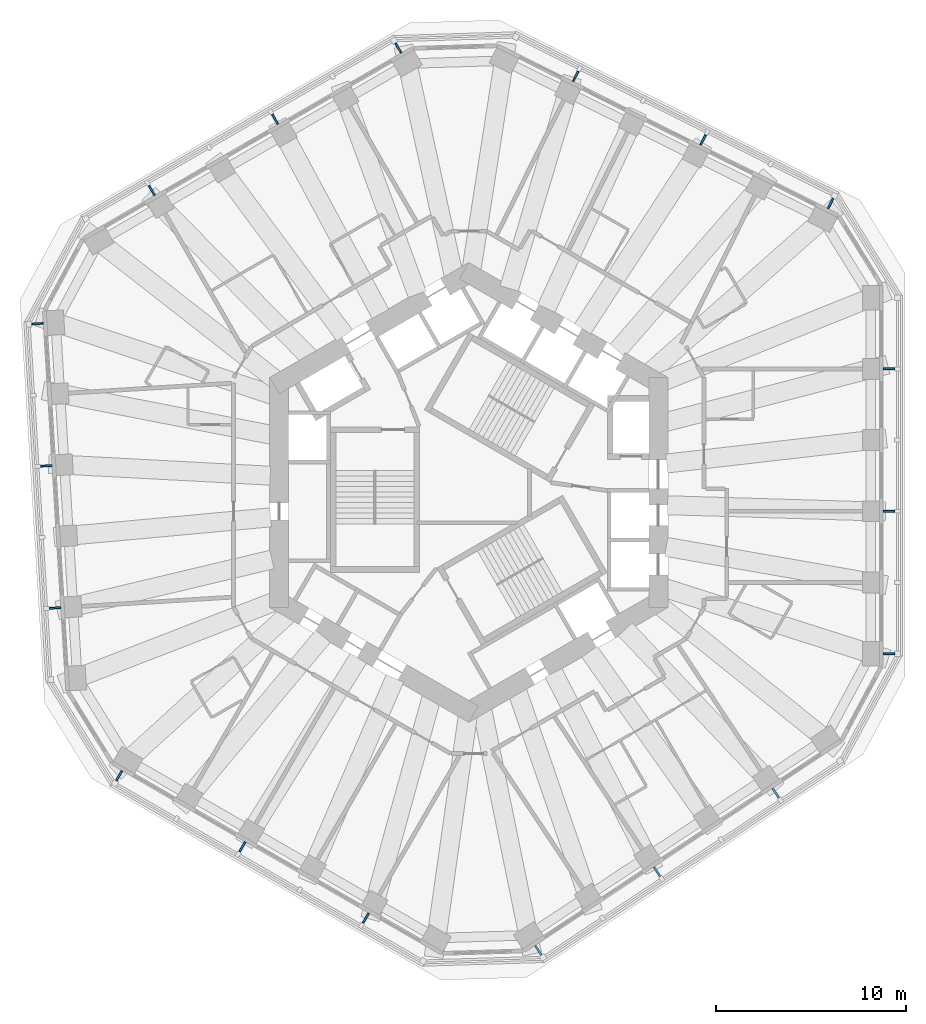
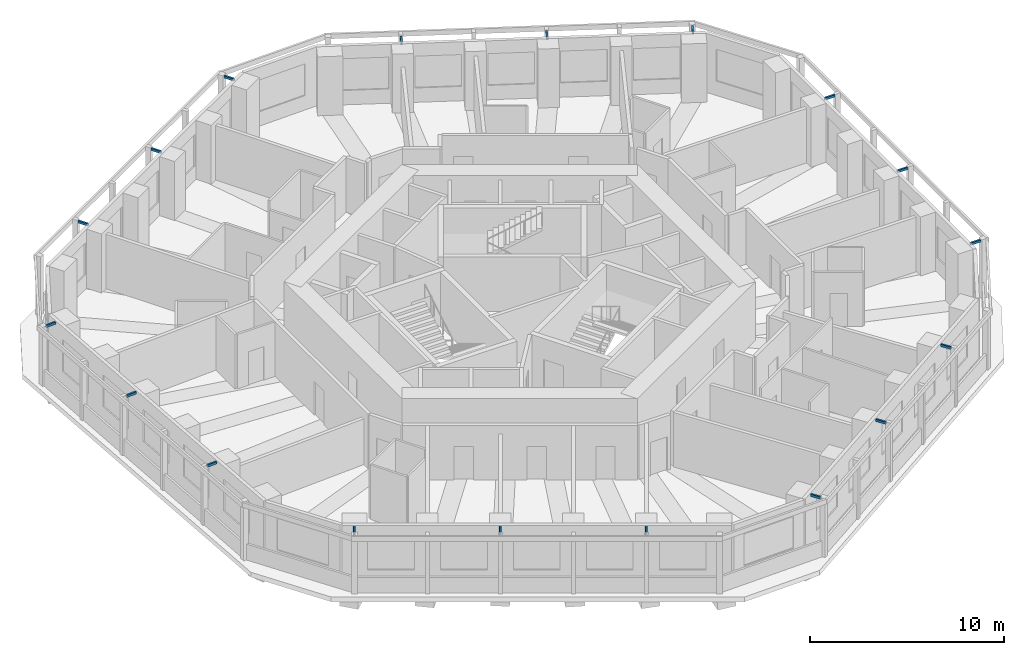
# One storey, part 11 of 12: 18 discrete accessories.
"""IFC4 building model written with IfcOpenShell, lengths in metres."""

import ifcopenshell
import ifcopenshell.guid

model = None  # the IFC model being written
_history = None  # IfcOwnerHistory: only IFC2X3 demands one
_inside = {}  # id of a spatial element -> (the spatial element, [elements in it])
_under = {}  # id of a project, library or spatial element -> (it, [spatial elements below it])
_declared = {}  # id of a project -> (the project, [libraries it declares])
_typed = {}  # id of a type object -> (the type object, [elements of that type])
_made_of = {}  # id of a material, layer set ... -> (it, [elements and type objects made of it])


def new_model(schema):
    """Start an empty IFC model of exactly this schema.

    Asked for "IFC4X3", IfcOpenShell would pick the latest addendum, in which some entities
    have other attributes; the version numbers below select the first issue.
    IFC2X3 requires an IfcOwnerHistory on every rooted entity: one is made here for all.
    """
    global model, _history
    if schema == "IFC4X3":
        model = ifcopenshell.file(schema_version=(4, 3, 0, 0))
    else:
        model = ifcopenshell.file(schema=schema)
    _inside.clear()
    _under.clear()
    _declared.clear()
    _typed.clear()
    _made_of.clear()
    _history = None
    if model.schema == "IFC2X3":
        org = make("IfcOrganization", Name="unknown")
        user = make(
            "IfcPersonAndOrganization",
            ThePerson=make("IfcPerson", FamilyName="unknown"),
            TheOrganization=org,
        )
        app = make(
            "IfcApplication",
            ApplicationDeveloper=org,
            Version="unknown",
            ApplicationFullName="unknown",
            ApplicationIdentifier="unknown",
        )
        _history = make(
            "IfcOwnerHistory",
            OwningUser=user,
            OwningApplication=app,
            ChangeAction="ADDED",
            CreationDate=0,
        )
    return model


def make(cls, **values):
    """One entity of the class cls with the attributes given. An attribute that is None is left unset."""
    return model.create_entity(
        cls, **{name: value for name, value in values.items() if value is not None}
    )


def rooted(cls, **values):
    """An entity with a GlobalId (a new one), such as an element, a storey or a relation."""
    return make(cls, GlobalId=ifcopenshell.guid.new(), OwnerHistory=_history, **values)


def si_unit(unit_type, name, prefix=None):
    """IfcSIUnit, for example si_unit("LENGTHUNIT", "METRE", prefix="MILLI")."""
    return make("IfcSIUnit", UnitType=unit_type, Prefix=prefix, Name=name)


def assignment(units):
    """IfcUnitAssignment: the units of a project."""
    return None if units is None else make("IfcUnitAssignment", Units=units)


def point(xyz):
    """IfcCartesianPoint."""
    return None if xyz is None else make("IfcCartesianPoint", Coordinates=xyz)


def direction(xyz):
    """IfcDirection."""
    return None if xyz is None else make("IfcDirection", DirectionRatios=xyz)


def frame(location, z_axis=None, x_axis=None):
    """IfcAxis2Placement3D, a coordinate frame: its origin and axes. An axis left out is left unset."""
    return make(
        "IfcAxis2Placement3D",
        Location=point(location),
        Axis=direction(z_axis),
        RefDirection=direction(x_axis),
    )


def frame_2d(location, x_axis=None):
    """IfcAxis2Placement2D, a coordinate frame in the plane: its origin and x axis."""
    return make(
        "IfcAxis2Placement2D", Location=point(location), RefDirection=direction(x_axis)
    )


def origin():
    """The frame at (0, 0, 0) with its axes left unset."""
    return frame((0.0, 0.0, 0.0))


def origin_2d():
    """The frame at (0, 0) in the plane with its x axis left unset."""
    return frame_2d((0.0, 0.0))


def place(relative_to, where):
    """IfcLocalPlacement: puts the frame where relative to a parent placement (None: the world)."""
    return make(
        "IfcLocalPlacement", PlacementRelTo=relative_to, RelativePlacement=where
    )


def context(
    kind, dimensions, precision=None, world=None, true_north=None, identifier=None
):
    """IfcGeometricRepresentationContext, for example the 3D "Model" context."""
    return make(
        "IfcGeometricRepresentationContext",
        ContextIdentifier=identifier,
        ContextType=kind,
        CoordinateSpaceDimension=dimensions,
        Precision=precision,
        WorldCoordinateSystem=world,
        TrueNorth=true_north,
    )


def subcontext(parent, identifier, kind, view, scale=None):
    """IfcGeometricRepresentationSubContext, for example "Body" below "Model"."""
    return make(
        "IfcGeometricRepresentationSubContext",
        ContextIdentifier=identifier,
        ContextType=kind,
        ParentContext=parent,
        TargetScale=scale,
        TargetView=view,
    )


def project(units=None, contexts=None):
    """IfcProject with its units and contexts."""
    return rooted(
        "IfcProject",
        Name="project",
        RepresentationContexts=contexts,
        UnitsInContext=assignment(units),
    )


def spatial(cls, under=None, at=None, **own):
    """A site, building, storey or space (cls), placed at a placement, below another one or the project."""
    s = rooted(cls, ObjectPlacement=at, **own)
    if under is not None:
        _under.setdefault(under.id(), (under, []))[1].append(s)
    return s


def profile(cls, at=None, kind="AREA", **sizes):
    """A parametric profile (cls). Its sizes go by their IFC names, for example OverallWidth=200.0."""
    return make(cls, ProfileType=kind, Position=at, **sizes)


def rectangle(**sizes):
    """IfcRectangleProfileDef."""
    return profile("IfcRectangleProfileDef", **sizes)


def extrude(swept, where, along, depth):
    """IfcExtrudedAreaSolid: the profile swept, set in the frame where, extruded along a direction by depth."""
    return make(
        "IfcExtrudedAreaSolid",
        SweptArea=swept,
        Position=where,
        ExtrudedDirection=direction(along),
        Depth=depth,
    )


def shape(context_of_items, identifier, shape_type, items):
    """IfcShapeRepresentation: the items that make up one representation, for example the "Body"."""
    return make(
        "IfcShapeRepresentation",
        ContextOfItems=context_of_items,
        RepresentationIdentifier=identifier,
        RepresentationType=shape_type,
        Items=items,
    )


def material(Name=None, Category=None):
    """IfcMaterial."""
    return make("IfcMaterial", Name=Name, Category=Category)


def made_of(thing, what):
    """Note that an element or type object is made of a material, layer set ...; save() writes the relation."""
    if what is not None:
        _made_of.setdefault(what.id(), (what, []))[1].append(thing)
    return thing


def type_object(cls, material=None, **own):
    """A type object (cls), such as IfcWallType, which elements share."""
    return made_of(rooted(cls, **own), material)


def element(
    cls,
    number,
    at=None,
    inside=None,
    cuts=None,
    type_object=None,
    material=None,
    context=None,
    identifier="Body",
    shape_type=None,
    held_by="IfcProductDefinitionShape",
    body=None,
    shapes=None,
    **own,
):
    """One element of the class cls, such as IfcWall. Its Tag is "e" and its number.

    at: its placement. inside: the storey or other place that contains it. cuts: it is an
    opening in that element (IfcRelVoidsElement). A single representation is given by context,
    identifier, shape_type and body (its items); several are given by shapes. held_by: the class
    of the entity that holds the representations. save() writes the other relations.
    """
    e = rooted(cls, Tag="e%d" % number, ObjectPlacement=at, **own)
    if body is not None:
        shapes = [shape(context, identifier, shape_type, body)]
    if shapes is not None:
        e.Representation = make(held_by, Representations=shapes)
    if inside is not None:
        _inside.setdefault(inside.id(), (inside, []))[1].append(e)
    if cuts is not None:
        rooted(
            "IfcRelVoidsElement", RelatingBuildingElement=cuts, RelatedOpeningElement=e
        )
    if type_object is not None:
        _typed.setdefault(type_object.id(), (type_object, []))[1].append(e)
    return made_of(e, material)


def aggregate(whole, parts):
    """IfcRelAggregates: a whole, such as a stair, and the parts it consists of."""
    return rooted("IfcRelAggregates", RelatingObject=whole, RelatedObjects=parts)


def save(model, path):
    """Write the relations noted so far, then the file.

    IfcRelAggregates (storeys below a building ...), IfcRelContainedInSpatialStructure (elements
    in a storey), IfcRelDefinesByType, IfcRelAssociatesMaterial and IfcRelDeclares: one each for
    every whole, place, type object, material and project.
    """
    for whole, parts in _under.values():
        aggregate(whole, parts)
    for where, things in _inside.values():
        rooted(
            "IfcRelContainedInSpatialStructure",
            RelatedElements=things,
            RelatingStructure=where,
        )
    for kind, things in _typed.values():
        rooted("IfcRelDefinesByType", RelatedObjects=things, RelatingType=kind)
    for what, things in _made_of.values():
        rooted("IfcRelAssociatesMaterial", RelatedObjects=things, RelatingMaterial=what)
    for by, libraries in _declared.values():
        rooted("IfcRelDeclares", RelatingContext=by, RelatedDefinitions=libraries)
    model.write(path)


model = new_model("IFC4")

# Units and contexts
model_context = context("Model", 3, precision=1e-05, world=origin(), true_north=direction((0.0, 1.0)))
body_context = subcontext(model_context, "Body", "Model", "MODEL_VIEW")
ifc_project = project(units=[si_unit("LENGTHUNIT", "METRE"), si_unit("AREAUNIT", "SQUARE_METRE"), si_unit("VOLUMEUNIT", "CUBIC_METRE"), si_unit("PLANEANGLEUNIT", "RADIAN"), si_unit("MASSUNIT", "GRAM", prefix="KILO")], contexts=[model_context])

# Site, building, storey
site_placement = place(None, origin())
site = spatial("IfcSite", under=ifc_project, at=site_placement, CompositionType="ELEMENT")
building_placement = place(site_placement, origin())
building = spatial("IfcBuilding", under=site, at=building_placement, Name="Vanh Sen Convention Tower", CompositionType="ELEMENT")
storey_placement = place(building_placement, frame((0.0, 0.0, 124.39990234375)))
storey = spatial("IfcBuildingStorey", under=building, at=storey_placement, Name="L30", CompositionType="ELEMENT", Elevation=124.39990234375)

# Discrete accessories
ifc_material = material(Name="Steel S355", Category="steel")
discrete_accessory_type = type_object("IfcDiscreteAccessoryType", Name="Fin bracket 100 x 150", PredefinedType="BRACKET", material=ifc_material)
for number, where, z_axis, x_axis, name in (
    (1, (22.14990234375, -8.5009765625, 3.500244140625), (0.0, 0.0, 1.0), (1.0, 0.0, 0.0), "Fin bracket E-1 L30"),
    (2, (22.14990234375, -0.992919921875, 3.500244140625), (0.0, 0.0, 1.0), (1.0, 0.0, 0.0), "Fin bracket E-3 L30"),
    (3, (22.14990234375, 6.515380859375, 3.500244140625), (0.0, 0.0, 1.0), (1.0, 0.0, 0.0), "Fin bracket E-5 L30"),
    (4, (19.073974609375, 15.240478515625, 3.500244140625), (0.0, 0.0, 1.0), (0.44619781311, 0.894934361602, 0.0), "Fin bracket NE-1 L30"),
    (5, (12.3544921875, 18.5908203125, 3.500244140625), (0.0, 0.0, 1.0), (0.44619781311, 0.894934361602, 0.0), "Fin bracket NE-3 L30"),
    (6, (5.635009765625, 21.94091796875, 3.500244140625), (0.0, 0.0, 1.0), (0.44619781311, 0.894934361602, 0.0), "Fin bracket NE-5 L30"),
    (7, (-3.712890625, 23.432861328125, 3.500244140625), (0.0, 0.0, 1.0), (-0.5, 0.866025403784, 0.0), "Fin bracket NW-1 L30"),
    (8, (-10.215087890625, 19.6787109375, 3.500244140625), (0.0, 0.0, 1.0), (-0.5, 0.866025403784, 0.0), "Fin bracket NW-3 L30"),
    (9, (-16.717529296875, 15.9248046875, 3.500244140625), (0.0, 0.0, 1.0), (-0.5, 0.866025403784, 0.0), "Fin bracket NW-5 L30"),
    (10, (-22.735595703125, 8.898193359375, 3.500244140625), (0.0, 0.0, 1.0), (-0.998134798422, -0.061048539535, 0.0), "Fin bracket W-1 L30"),
    (11, (-22.277099609375, 1.40380859375, 3.500244140625), (0.0, 0.0, 1.0), (-0.998134798422, -0.061048539535, 0.0), "Fin bracket W-3 L30"),
    (12, (-21.81884765625, -6.09033203125, 3.500244140625), (0.0, 0.0, 1.0), (-0.998134798422, -0.061048539535, 0.0), "Fin bracket W-5 L30"),
    (13, (-18.43701171875, -14.931884765625, 3.500244140625), (0.0, 0.0, 1.0), (-0.5, -0.866025403784, 0.0), "Fin bracket SW-1 L30"),
    (14, (-11.934814453125, -18.68603515625, 3.500244140625), (0.0, 0.0, 1.0), (-0.5, -0.866025403784, 0.0), "Fin bracket SW-3 L30"),
    (15, (-5.4326171875, -22.440185546875, 3.500244140625), (0.0, 0.0, 1.0), (-0.5, -0.866025403784, 0.0), "Fin bracket SW-5 L30"),
    (16, (3.66162109375, -24.138671875, 3.500244140625), (0.0, 0.0, 1.0), (0.551936985312, -0.833885822067, 0.0), "Fin bracket SE-1 L30"),
    (17, (9.922607421875, -19.99462890625, 3.500244140625), (0.0, 0.0, 1.0), (0.551936985312, -0.833885822067, 0.0), "Fin bracket SE-3 L30"),
    (18, (16.18359375, -15.8505859375, 3.500244140625), (0.0, 0.0, 1.0), (0.551936985312, -0.833885822067, 0.0), "Fin bracket SE-5 L30"),
):
    element("IfcDiscreteAccessory", number, at=place(storey_placement, frame(where, z_axis=z_axis, x_axis=x_axis)), inside=storey, type_object=discrete_accessory_type, Name=name, PredefinedType="BRACKET", context=body_context, shape_type="SweptSolid", body=[
        extrude(rectangle(XDim=0.60009765625, YDim=0.10009765625, at=origin_2d()), origin(), (0.0, 0.0, 1.0), 0.14990234375),
    ])

save(model, "model.ifc")
